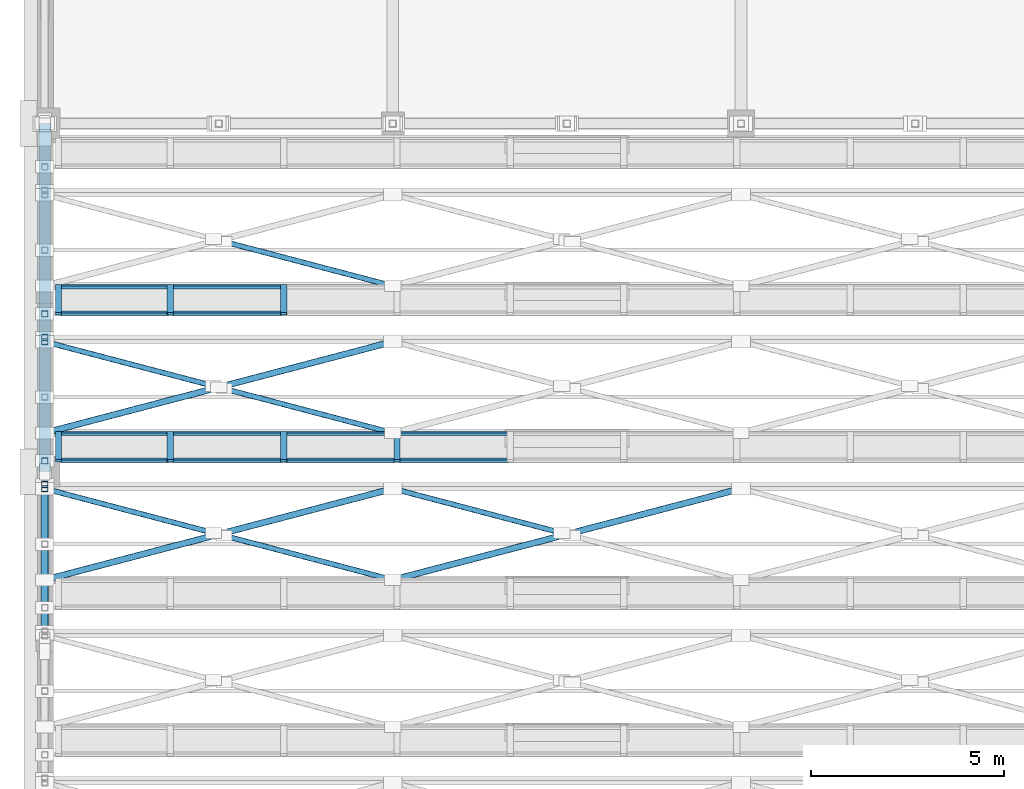
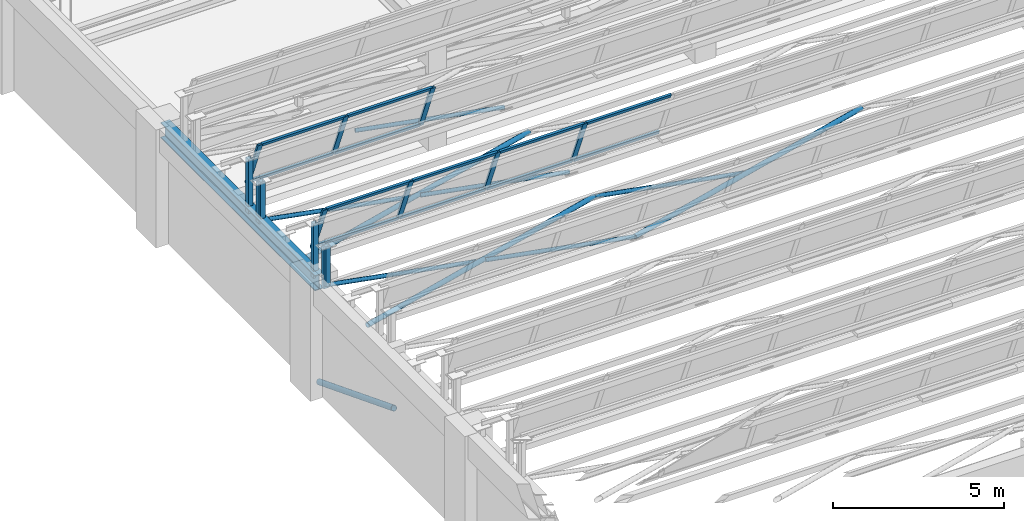
# One storey, part 21 of 108: 35 members, 1 beam, 2 elements without a shape of their own.
"""IFC4 building model written with IfcOpenShell, lengths in metres."""

from ifc_helpers import new_model, si_unit, direction, frame, origin, origin_2d, place, context, subcontext, project, spatial, hollow_rectangle, hollow_circle, i_section, extrude, material, material_profile, profile_set, type_object, element, aggregate, save


model = new_model("IFC4")

# Units and contexts
model_context = context("Model", 3, precision=1e-05, world=origin(), true_north=direction((0.0, 1.0)))
body_context = subcontext(model_context, "Body", "Model", "MODEL_VIEW")
ifc_project = project(units=[si_unit("LENGTHUNIT", "METRE"), si_unit("AREAUNIT", "SQUARE_METRE"), si_unit("VOLUMEUNIT", "CUBIC_METRE"), si_unit("PLANEANGLEUNIT", "RADIAN"), si_unit("MASSUNIT", "GRAM", prefix="KILO")], contexts=[model_context])

# Site, building, storey
site_placement = place(None, origin())
site = spatial("IfcSite", under=ifc_project, at=site_placement, CompositionType="ELEMENT")
building_placement = place(site_placement, origin())
building = spatial("IfcBuilding", under=site, at=building_placement, Name="Lykobir Media Centre", CompositionType="ELEMENT")
storey_placement = place(building_placement, frame((0.0, 0.0, 15.0)))
storey = spatial("IfcBuildingStorey", under=building, at=storey_placement, Name="L03", CompositionType="ELEMENT", Elevation=15.0)

# Beam
ifc_material_1 = material(Name="Steel S355", Category="steel")
ifc_material_profile_1 = material_profile(ifc_material_1, i_section(OverallWidth=0.300048828125, OverallDepth=0.550048828125, WebThickness=0.014892578125, FlangeThickness=0.029052734375, at=origin_2d()), Name="HEB 550")
ifc_profile_set_1 = profile_set([ifc_material_profile_1], Name="Steel S355")
beam_type = type_object("IfcBeamType", Name="BM-SAW550-E", PredefinedType="BEAM", material=ifc_profile_set_1)
beam_placement = place(storey_placement, frame((0.0, 18.0, 3.675048828125), z_axis=(0.0, 1.0, 0.0), x_axis=(-1.0, 0.0, 0.0)))
element("IfcBeam", 1, at=beam_placement, inside=storey, type_object=beam_type, Name="Beam BM-L03-0000-0180-0000-0270-1868", PredefinedType="BEAM", context=body_context, shape_type="SweptSolid", body=[
    extrude(i_section(OverallWidth=0.300048828125, OverallDepth=0.550048828125, WebThickness=0.014892578125, FlangeThickness=0.029052734375, at=origin_2d()), origin(), (0.0, 0.0, 1.0), 9.0),
])

# Members
ifc_material_profile_2 = material_profile(ifc_material_1, hollow_circle(Radius=0.06982421875, WallThickness=0.008056640625, at=origin_2d()), Name="CHS 139.7x8.0")
ifc_profile_set_2 = profile_set([ifc_material_profile_2], Name="Steel S355")
member_type_1 = type_object("IfcMemberType", Name="BR-CHS140", PredefinedType="BRACE", material=ifc_profile_set_2)
for number, where, z_axis, x_axis, name in (
    (2, (9.0, 15.199951171875, 3.840087890625), (-0.967253715929, 0.253811443834, 0.0), (-0.253811443834, -0.967253715929, 0.0), "Diagonal brace MEM2-L03-0090-0152-0188-0046-0163-0229"),
    (3, (4.364501953125, 16.416015625, 3.840087890625), (-0.967253715929, 0.253811443834, 0.0), (-0.253811443834, -0.967253715929, 0.0), "Diagonal brace MEM2-L03-0044-0164-0188-0000-0176-0230"),
    (4, (13.364501953125, 16.416015625, 3.840087890625), (-0.967253715929, 0.253811443834, 0.0), (-0.253811443834, -0.967253715929, 0.0), "Diagonal brace MEM2-L03-0134-0164-0188-0090-0176-0233"),
    (5, (9.0, 19.0, 3.840087890625), (-0.967266997824, 0.253760822274, 0.0), (-0.253760822274, -0.967266997824, 0.0), "Diagonal brace MEM2-L03-0090-0190-0188-0046-0201-0249"),
    (6, (4.364501953125, 20.216064453125, 3.840087890625), (-0.967253715929, 0.253811443834, 0.0), (-0.253811443834, -0.967253715929, 0.0), "Diagonal brace MEM2-L03-0044-0202-0188-0000-0214-0250"),
    (7, (9.0, 22.800048828125, 3.840087890625), (-0.967253715929, 0.253811443834, 0.0), (-0.253811443834, -0.967253715929, 0.0), "Diagonal brace MEM2-L03-0090-0228-0188-0046-0239-0270"),
):
    element("IfcMember", number, at=place(storey_placement, frame(where, z_axis=z_axis, x_axis=x_axis)), inside=storey, type_object=member_type_1, Name=name, PredefinedType="BRACE", context=body_context, shape_type="SweptSolid", body=[
        extrude(hollow_circle(Radius=0.06982421875, WallThickness=0.008056640625, at=origin_2d()), origin(), (0.0, 0.0, 1.0), 4.51220703125),
    ])
ifc_material_profile_3 = material_profile(ifc_material_1, hollow_circle(Radius=0.084228515625, WallThickness=0.010009765625, at=origin_2d()), Name="CHS 168.3x10.0")
ifc_profile_set_3 = profile_set([ifc_material_profile_3], Name="Steel S355")
member_type_2 = type_object("IfcMemberType", Name="BR-CHS168", PredefinedType="BRACE", material=ifc_profile_set_3)
for number, where, z_axis, x_axis, name in (
    (8, (0.0, 15.199951171875, 3.840087890625), (0.967261887678, 0.253780299957, 0.0), (-0.253780299957, 0.967261887678, 0.0), "Diagonal brace MEM2-L03-0000-0152-0188-0090-0176-0228"),
    (9, (9.0, 15.199951171875, 3.840087890625), (0.967261887678, 0.253780299957, 0.0), (-0.253780299957, 0.967261887678, 0.0), "Diagonal brace MEM2-L03-0090-0152-0188-0180-0176-0231"),
    (10, (0.0, 19.0, 3.840087890625), (0.967261887678, 0.253780299957, 0.0), (-0.253780299957, 0.967261887678, 0.0), "Diagonal brace MEM2-L03-0000-0190-0188-0090-0214-0248"),
):
    element("IfcMember", number, at=place(storey_placement, frame(where, z_axis=z_axis, x_axis=x_axis)), inside=storey, type_object=member_type_2, Name=name, PredefinedType="BRACE", context=body_context, shape_type="SweptSolid", body=[
        extrude(hollow_circle(Radius=0.084228515625, WallThickness=0.010009765625, at=origin_2d()), origin(), (0.0, 0.0, 1.0), 9.3046875),
    ])
ifc_material_profile_4 = material_profile(ifc_material_1, hollow_circle(Radius=0.096923828125, WallThickness=0.010009765625, at=origin_2d()), Name="CHS 193.7x10.0")
ifc_profile_set_4 = profile_set([ifc_material_profile_4], Name="Steel S355")
member_type_3 = type_object("IfcMemberType", Name="BR-CHS194-E", PredefinedType="BRACE", material=ifc_profile_set_4)
member_1_placement = place(storey_placement, frame((0.0, 18.0, 0.1201171875), z_axis=(0.0, -0.931310611003, 0.364225954365), x_axis=(1.0, 0.0, 0.0)))
element("IfcMember", 11, at=member_1_placement, inside=storey, type_object=member_type_3, Name="Diagonal brace MEM2-L03-0000-0180-0151-0000-0136-0525", PredefinedType="BRACE", context=body_context, shape_type="SweptSolid", body=[
    extrude(hollow_circle(Radius=0.096923828125, WallThickness=0.010009765625, at=origin_2d()), origin(), (0.0, 0.0, 1.0), 4.671875),
])
ifc_material_profile_5 = material_profile(ifc_material_1, hollow_rectangle(XDim=0.159912109375, YDim=0.159912109375, WallThickness=0.008056640625, at=origin_2d()), Name="SHS 160x160x8")
ifc_profile_set_5 = profile_set([ifc_material_profile_5], Name="Steel S355")
member_type_4 = type_object("IfcMemberType", Name="BR-SHS160-E", PredefinedType="BRACE", material=ifc_profile_set_5)
member_2_placement = place(storey_placement, frame((0.0, 18.28125, 3.699951171875), z_axis=(0.0, 0.0, 1.0), x_axis=(1.0, 0.0, 0.0)))
element("IfcMember", 12, at=member_2_placement, inside=storey, type_object=member_type_4, Name="Diagonal brace MEM2-L03-0000-0183-0187-0000-0183-0222", PredefinedType="BRACE", context=body_context, shape_type="SweptSolid", body=[
    extrude(hollow_rectangle(XDim=0.159912109375, YDim=0.159912109375, WallThickness=0.008056640625, at=origin_2d()), origin(), (0.0, 0.0, 1.0), 1.928955078125),
])
member_3_placement = place(storey_placement, frame((0.0, 17.561279296875, 3.840087890625), z_axis=(0.0, 0.0, 1.0), x_axis=(1.0, 0.0, 0.0)))
element("IfcMember", 13, at=member_3_placement, inside=storey, type_object=member_type_4, Name="Diagonal brace MEM2-L03-0000-0176-0188-0000-0176-0224", PredefinedType="BRACE", context=body_context, shape_type="SweptSolid", body=[
    extrude(hollow_rectangle(XDim=0.159912109375, YDim=0.159912109375, WallThickness=0.008056640625, at=origin_2d()), origin(), (0.0, 0.0, 1.0), 1.4033203125),
])
member_4_placement = place(storey_placement, frame((0.0, 17.66796875, 3.699951171875), z_axis=(0.0, 0.0, 1.0), x_axis=(1.0, 0.0, 0.0)))
element("IfcMember", 14, at=member_4_placement, inside=storey, type_object=member_type_4, Name="Diagonal brace MEM2-L03-0000-0177-0187-0000-0177-0239", PredefinedType="BRACE", context=body_context, shape_type="SweptSolid", body=[
    extrude(hollow_rectangle(XDim=0.159912109375, YDim=0.159912109375, WallThickness=0.008056640625, at=origin_2d()), origin(), (0.0, 0.0, 1.0), 1.472412109375),
])
member_5_placement = place(storey_placement, frame((0.0, 22.081298828125, 3.699951171875), z_axis=(0.0, 0.0, 1.0), x_axis=(1.0, 0.0, 0.0)))
element("IfcMember", 15, at=member_5_placement, inside=storey, type_object=member_type_4, Name="Diagonal brace MEM2-L03-0000-0221-0187-0000-0221-0242", PredefinedType="BRACE", context=body_context, shape_type="SweptSolid", body=[
    extrude(hollow_rectangle(XDim=0.159912109375, YDim=0.159912109375, WallThickness=0.008056640625, at=origin_2d()), origin(), (0.0, 0.0, 1.0), 1.928955078125),
])
member_6_placement = place(storey_placement, frame((0.0, 21.361328125, 3.840087890625), z_axis=(0.0, 0.0, 1.0), x_axis=(1.0, 0.0, 0.0)))
element("IfcMember", 16, at=member_6_placement, inside=storey, type_object=member_type_4, Name="Diagonal brace MEM2-L03-0000-0214-0188-0000-0214-0244", PredefinedType="BRACE", context=body_context, shape_type="SweptSolid", body=[
    extrude(hollow_rectangle(XDim=0.159912109375, YDim=0.159912109375, WallThickness=0.008056640625, at=origin_2d()), origin(), (0.0, 0.0, 1.0), 1.4033203125),
])
member_7_placement = place(storey_placement, frame((0.0, 21.468017578125, 3.699951171875), z_axis=(0.0, 0.0, 1.0), x_axis=(1.0, 0.0, 0.0)))
element("IfcMember", 17, at=member_7_placement, inside=storey, type_object=member_type_4, Name="Diagonal brace MEM2-L03-0000-0215-0187-0000-0215-0259", PredefinedType="BRACE", context=body_context, shape_type="SweptSolid", body=[
    extrude(hollow_rectangle(XDim=0.159912109375, YDim=0.159912109375, WallThickness=0.008056640625, at=origin_2d()), origin(), (0.0, 0.0, 1.0), 1.472412109375),
])

# Curtain wall, members
ifc_material_2 = material(Name="Anodized Aluminium AW-6060", Category="aluminium")
curtain_wall_type = type_object("IfcCurtainWallType", Name="CW-NL-V1", PredefinedType="NOTDEFINED", material=ifc_material_2)
curtain_wall_1_placement = place(storey_placement, origin())
curtain_wall_1 = element("IfcCurtainWall", 18, at=curtain_wall_1_placement, inside=storey, type_object=curtain_wall_type, Name="Curtain wall CW-NL-V1-05", PredefinedType="NOTDEFINED")
ifc_material_profile_6 = material_profile(ifc_material_2, hollow_rectangle(XDim=0.070068359375, YDim=0.1650390625, WallThickness=0.00390625, at=origin_2d()), Name="ALU MULLION 70x165")
ifc_profile_set_6 = profile_set([ifc_material_profile_6], Name="Anodized Aluminium AW-6060")
member_type_5 = type_object("IfcMemberType", Name="CWM-165", PredefinedType="MULLION", material=ifc_profile_set_6)
member_8_placement = place(storey_placement, frame((0.35498046875, 19.0, 4.199951171875), z_axis=(0.0, -0.374591377287, 0.927190002137), x_axis=(0.0, 0.927190002137, 0.374591377287)))
member_8 = element("IfcMember", 19, at=member_8_placement, type_object=member_type_5, Name="CW-NL-V1-05 mullion 1", PredefinedType="MULLION", context=body_context, shape_type="SweptSolid", body=[
    extrude(hollow_rectangle(XDim=0.070068359375, YDim=0.1650390625, WallThickness=0.00390625, at=origin_2d()), origin(), (0.0, 0.0, 1.0), 1.918701171875),
])
member_9_placement = place(storey_placement, frame((3.248779296875, 19.0, 4.199951171875), z_axis=(0.0, -0.374591377287, 0.927190002137), x_axis=(0.0, 0.927190002137, 0.374591377287)))
member_9 = element("IfcMember", 20, at=member_9_placement, type_object=member_type_5, Name="CW-NL-V1-05 mullion 2", PredefinedType="MULLION", context=body_context, shape_type="SweptSolid", body=[
    extrude(hollow_rectangle(XDim=0.070068359375, YDim=0.1650390625, WallThickness=0.00390625, at=origin_2d()), origin(), (0.0, 0.0, 1.0), 1.918701171875),
])
member_10_placement = place(storey_placement, frame((6.177734375, 19.0, 4.199951171875), z_axis=(0.0, -0.374591377287, 0.927190002137), x_axis=(0.0, 0.927190002137, 0.374591377287)))
member_10 = element("IfcMember", 21, at=member_10_placement, type_object=member_type_5, Name="CW-NL-V1-05 mullion 3", PredefinedType="MULLION", context=body_context, shape_type="SweptSolid", body=[
    extrude(hollow_rectangle(XDim=0.070068359375, YDim=0.1650390625, WallThickness=0.00390625, at=origin_2d()), origin(), (0.0, 0.0, 1.0), 1.918701171875),
])
member_11_placement = place(storey_placement, frame((9.106689453125, 19.0, 4.199951171875), z_axis=(0.0, -0.374591377287, 0.927190002137), x_axis=(0.0, 0.927190002137, 0.374591377287)))
member_11 = element("IfcMember", 22, at=member_11_placement, type_object=member_type_5, Name="CW-NL-V1-05 mullion 4", PredefinedType="MULLION", context=body_context, shape_type="SweptSolid", body=[
    extrude(hollow_rectangle(XDim=0.070068359375, YDim=0.1650390625, WallThickness=0.00390625, at=origin_2d()), origin(), (0.0, 0.0, 1.0), 1.918701171875),
])

curtain_wall_2_placement = place(storey_placement, origin())
curtain_wall_2 = element("IfcCurtainWall", 23, at=curtain_wall_2_placement, inside=storey, type_object=curtain_wall_type, Name="Curtain wall CW-NL-V1-06", PredefinedType="NOTDEFINED")
member_12_placement = place(storey_placement, frame((0.35498046875, 22.800048828125, 4.199951171875), z_axis=(0.0, -0.374591377287, 0.927190002137), x_axis=(0.0, 0.927190002137, 0.374591377287)))
member_12 = element("IfcMember", 24, at=member_12_placement, type_object=member_type_5, Name="CW-NL-V1-06 mullion 1", PredefinedType="MULLION", context=body_context, shape_type="SweptSolid", body=[
    extrude(hollow_rectangle(XDim=0.070068359375, YDim=0.1650390625, WallThickness=0.00390625, at=origin_2d()), origin(), (0.0, 0.0, 1.0), 1.918701171875),
])
member_13_placement = place(storey_placement, frame((3.248779296875, 22.800048828125, 4.199951171875), z_axis=(0.0, -0.374591377287, 0.927190002137), x_axis=(0.0, 0.927190002137, 0.374591377287)))
member_13 = element("IfcMember", 25, at=member_13_placement, type_object=member_type_5, Name="CW-NL-V1-06 mullion 2", PredefinedType="MULLION", context=body_context, shape_type="SweptSolid", body=[
    extrude(hollow_rectangle(XDim=0.070068359375, YDim=0.1650390625, WallThickness=0.00390625, at=origin_2d()), origin(), (0.0, 0.0, 1.0), 1.918701171875),
])
member_14_placement = place(storey_placement, frame((6.177734375, 22.800048828125, 4.199951171875), z_axis=(0.0, -0.374591377287, 0.927190002137), x_axis=(0.0, 0.927190002137, 0.374591377287)))
member_14 = element("IfcMember", 26, at=member_14_placement, type_object=member_type_5, Name="CW-NL-V1-06 mullion 3", PredefinedType="MULLION", context=body_context, shape_type="SweptSolid", body=[
    extrude(hollow_rectangle(XDim=0.070068359375, YDim=0.1650390625, WallThickness=0.00390625, at=origin_2d()), origin(), (0.0, 0.0, 1.0), 1.918701171875),
])

# Member
ifc_material_profile_7 = material_profile(ifc_material_2, hollow_rectangle(XDim=0.070068359375, YDim=0.135009765625, WallThickness=0.00341796875, at=origin_2d()), Name="ALU TRANSOM 70x135")
ifc_profile_set_7 = profile_set([ifc_material_profile_7], Name="Anodized Aluminium AW-6060")
member_type_6 = type_object("IfcMemberType", Name="CWT-135", PredefinedType="USERDEFINED", material=ifc_profile_set_7)
member_15_placement = place(storey_placement, frame((0.389892578125, 18.98681640625, 4.232421875), z_axis=(1.0, 0.0, 0.0), x_axis=(0.0, 0.927183854567, 0.374606593416)))
member_15 = element("IfcMember", 27, at=member_15_placement, type_object=member_type_6, Name="CW-NL-V1-05 transom 1.1", ObjectType="TRANSOM", PredefinedType="USERDEFINED", context=body_context, shape_type="SweptSolid", body=[
    extrude(hollow_rectangle(XDim=0.070068359375, YDim=0.135009765625, WallThickness=0.00341796875, at=origin_2d()), origin(), (0.0, 0.0, 1.0), 2.823974609375),
])

member_16_placement = place(storey_placement, frame((0.389892578125, 18.29443359375, 5.946533203125), z_axis=(1.0, 0.0, 0.0), x_axis=(0.0, 0.927183854567, 0.374606593416)))
member_16 = element("IfcMember", 28, at=member_16_placement, type_object=member_type_6, Name="CW-NL-V1-05 transom 1.2", ObjectType="TRANSOM", PredefinedType="USERDEFINED", context=body_context, shape_type="SweptSolid", body=[
    extrude(hollow_rectangle(XDim=0.070068359375, YDim=0.135009765625, WallThickness=0.00341796875, at=origin_2d()), origin(), (0.0, 0.0, 1.0), 2.823974609375),
])

member_17_placement = place(storey_placement, frame((3.283935546875, 18.98681640625, 4.232421875), z_axis=(1.0, 0.0, 0.0), x_axis=(0.0, 0.927183854567, 0.374606593416)))
member_17 = element("IfcMember", 29, at=member_17_placement, type_object=member_type_6, Name="CW-NL-V1-05 transom 2.1", ObjectType="TRANSOM", PredefinedType="USERDEFINED", context=body_context, shape_type="SweptSolid", body=[
    extrude(hollow_rectangle(XDim=0.070068359375, YDim=0.135009765625, WallThickness=0.00341796875, at=origin_2d()), origin(), (0.0, 0.0, 1.0), 2.85888671875),
])

member_18_placement = place(storey_placement, frame((3.283935546875, 18.29443359375, 5.946533203125), z_axis=(1.0, 0.0, 0.0), x_axis=(0.0, 0.927183854567, 0.374606593416)))
member_18 = element("IfcMember", 30, at=member_18_placement, type_object=member_type_6, Name="CW-NL-V1-05 transom 2.2", ObjectType="TRANSOM", PredefinedType="USERDEFINED", context=body_context, shape_type="SweptSolid", body=[
    extrude(hollow_rectangle(XDim=0.070068359375, YDim=0.135009765625, WallThickness=0.00341796875, at=origin_2d()), origin(), (0.0, 0.0, 1.0), 2.85888671875),
])

member_19_placement = place(storey_placement, frame((6.212890625, 18.98681640625, 4.232421875), z_axis=(1.0, 0.0, 0.0), x_axis=(0.0, 0.927183854567, 0.374606593416)))
member_19 = element("IfcMember", 31, at=member_19_placement, type_object=member_type_6, Name="CW-NL-V1-05 transom 3.1", ObjectType="TRANSOM", PredefinedType="USERDEFINED", context=body_context, shape_type="SweptSolid", body=[
    extrude(hollow_rectangle(XDim=0.070068359375, YDim=0.135009765625, WallThickness=0.00341796875, at=origin_2d()), origin(), (0.0, 0.0, 1.0), 2.85888671875),
])

member_20_placement = place(storey_placement, frame((6.212890625, 18.29443359375, 5.946533203125), z_axis=(1.0, 0.0, 0.0), x_axis=(0.0, 0.927183854567, 0.374606593416)))
member_20 = element("IfcMember", 32, at=member_20_placement, type_object=member_type_6, Name="CW-NL-V1-05 transom 3.2", ObjectType="TRANSOM", PredefinedType="USERDEFINED", context=body_context, shape_type="SweptSolid", body=[
    extrude(hollow_rectangle(XDim=0.070068359375, YDim=0.135009765625, WallThickness=0.00341796875, at=origin_2d()), origin(), (0.0, 0.0, 1.0), 2.85888671875),
])

member_21_placement = place(storey_placement, frame((9.1416015625, 18.98681640625, 4.232421875), z_axis=(1.0, 0.0, 0.0), x_axis=(0.0, 0.927183854567, 0.374606593416)))
member_21 = element("IfcMember", 33, at=member_21_placement, type_object=member_type_6, Name="CW-NL-V1-05 transom 4.1", ObjectType="TRANSOM", PredefinedType="USERDEFINED", context=body_context, shape_type="SweptSolid", body=[
    extrude(hollow_rectangle(XDim=0.070068359375, YDim=0.135009765625, WallThickness=0.00341796875, at=origin_2d()), origin(), (0.0, 0.0, 1.0), 2.85888671875),
])

member_22_placement = place(storey_placement, frame((9.1416015625, 18.29443359375, 5.946533203125), z_axis=(1.0, 0.0, 0.0), x_axis=(0.0, 0.927183854567, 0.374606593416)))
member_22 = element("IfcMember", 34, at=member_22_placement, type_object=member_type_6, Name="CW-NL-V1-05 transom 4.2", ObjectType="TRANSOM", PredefinedType="USERDEFINED", context=body_context, shape_type="SweptSolid", body=[
    extrude(hollow_rectangle(XDim=0.070068359375, YDim=0.135009765625, WallThickness=0.00341796875, at=origin_2d()), origin(), (0.0, 0.0, 1.0), 2.85888671875),
])

aggregate(curtain_wall_1, [member_8, member_9, member_10, member_11, member_15, member_16, member_17, member_18, member_19, member_20, member_21, member_22])

member_23_placement = place(storey_placement, frame((0.389892578125, 22.786865234375, 4.232421875), z_axis=(1.0, 0.0, 0.0), x_axis=(0.0, 0.927183854567, 0.374606593416)))
member_23 = element("IfcMember", 35, at=member_23_placement, type_object=member_type_6, Name="CW-NL-V1-06 transom 1.1", ObjectType="TRANSOM", PredefinedType="USERDEFINED", context=body_context, shape_type="SweptSolid", body=[
    extrude(hollow_rectangle(XDim=0.070068359375, YDim=0.135009765625, WallThickness=0.00341796875, at=origin_2d()), origin(), (0.0, 0.0, 1.0), 2.823974609375),
])

member_24_placement = place(storey_placement, frame((0.389892578125, 22.094482421875, 5.946533203125), z_axis=(1.0, 0.0, 0.0), x_axis=(0.0, 0.927183854567, 0.374606593416)))
member_24 = element("IfcMember", 36, at=member_24_placement, type_object=member_type_6, Name="CW-NL-V1-06 transom 1.2", ObjectType="TRANSOM", PredefinedType="USERDEFINED", context=body_context, shape_type="SweptSolid", body=[
    extrude(hollow_rectangle(XDim=0.070068359375, YDim=0.135009765625, WallThickness=0.00341796875, at=origin_2d()), origin(), (0.0, 0.0, 1.0), 2.823974609375),
])

member_25_placement = place(storey_placement, frame((3.283935546875, 22.786865234375, 4.232421875), z_axis=(1.0, 0.0, 0.0), x_axis=(0.0, 0.927183854567, 0.374606593416)))
member_25 = element("IfcMember", 37, at=member_25_placement, type_object=member_type_6, Name="CW-NL-V1-06 transom 2.1", ObjectType="TRANSOM", PredefinedType="USERDEFINED", context=body_context, shape_type="SweptSolid", body=[
    extrude(hollow_rectangle(XDim=0.070068359375, YDim=0.135009765625, WallThickness=0.00341796875, at=origin_2d()), origin(), (0.0, 0.0, 1.0), 2.85888671875),
])

member_26_placement = place(storey_placement, frame((3.283935546875, 22.094482421875, 5.946533203125), z_axis=(1.0, 0.0, 0.0), x_axis=(0.0, 0.927183854567, 0.374606593416)))
member_26 = element("IfcMember", 38, at=member_26_placement, type_object=member_type_6, Name="CW-NL-V1-06 transom 2.2", ObjectType="TRANSOM", PredefinedType="USERDEFINED", context=body_context, shape_type="SweptSolid", body=[
    extrude(hollow_rectangle(XDim=0.070068359375, YDim=0.135009765625, WallThickness=0.00341796875, at=origin_2d()), origin(), (0.0, 0.0, 1.0), 2.85888671875),
])

aggregate(curtain_wall_2, [member_12, member_13, member_14, member_23, member_24, member_25, member_26])

save(model, "model.ifc")
